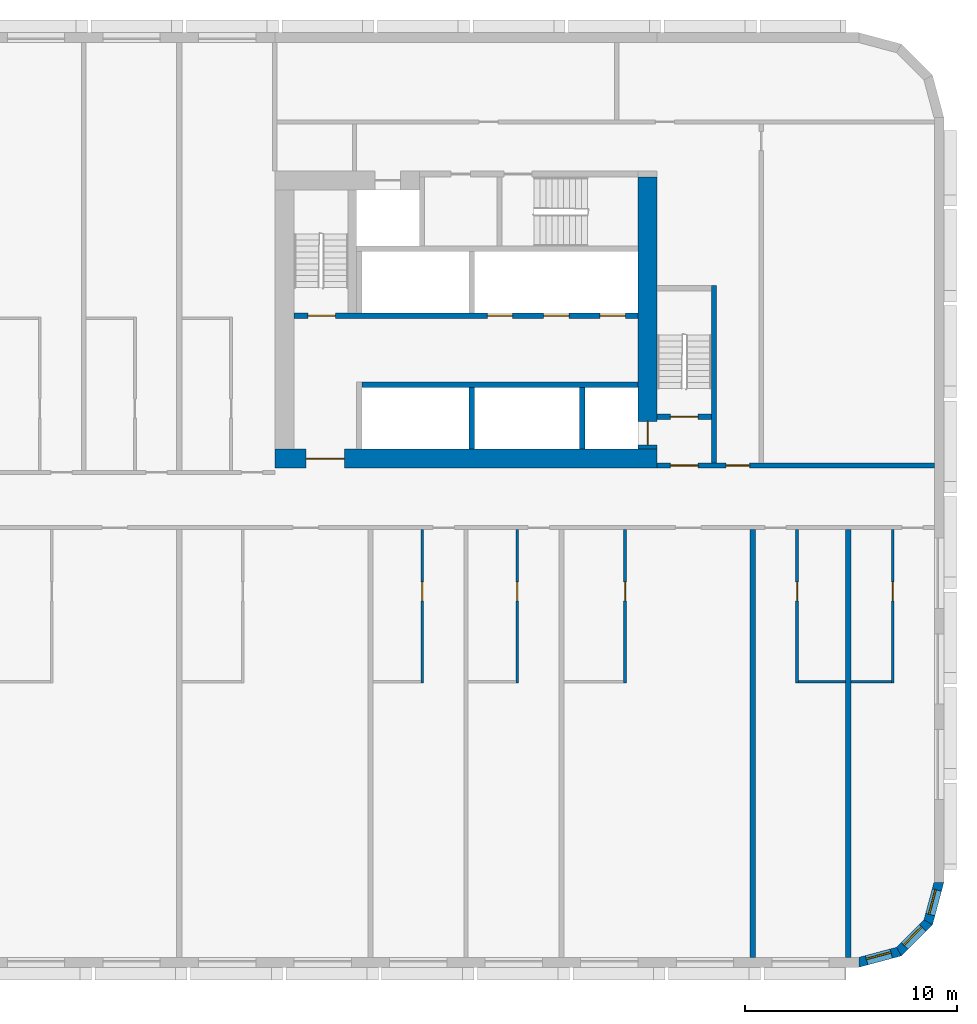
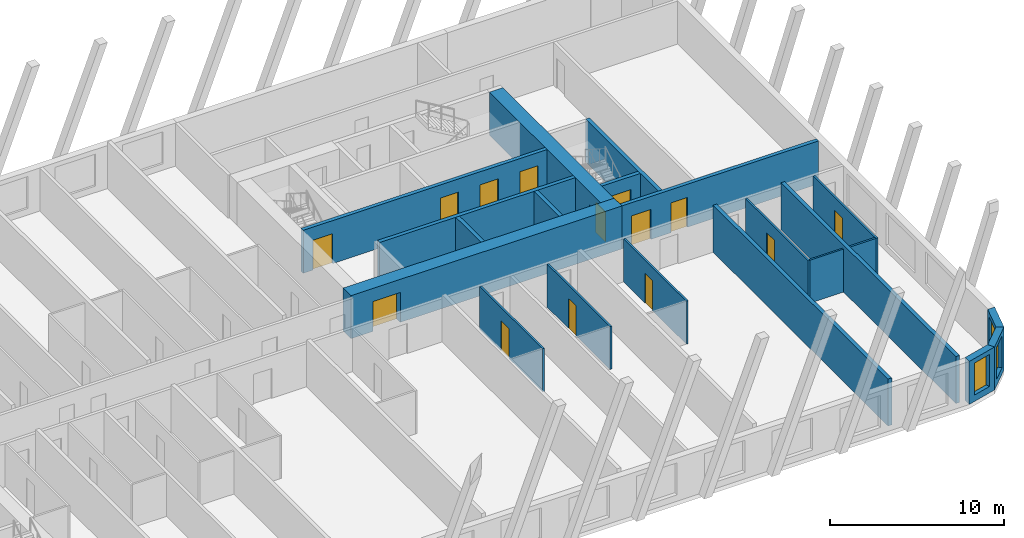
# One storey, part 7 of 13: 21 walls, 14 doors, 3 windows, 17 openings.
"""IFC4 building model written with IfcOpenShell, lengths in metres."""

from ifc_helpers import new_model, si_unit, direction, frame, frame_2d, origin, place, context, subcontext, project, spatial, polyline, rectangle, outline, extrude, material, layer, layer_set, type_object, element, fill, save


model = new_model("IFC4")

# Units and contexts
model_context = context("Model", 3, precision=1e-05, world=origin(), true_north=direction((0.0, 1.0)))
body_context = subcontext(model_context, "Body", "Model", "MODEL_VIEW")
ifc_project = project(units=[si_unit("LENGTHUNIT", "METRE"), si_unit("AREAUNIT", "SQUARE_METRE"), si_unit("VOLUMEUNIT", "CUBIC_METRE"), si_unit("PLANEANGLEUNIT", "RADIAN"), si_unit("MASSUNIT", "GRAM", prefix="KILO")], contexts=[model_context])

# Site, building, storey
site_placement = place(None, origin())
site = spatial("IfcSite", under=ifc_project, at=site_placement, CompositionType="ELEMENT")
building_placement = place(site_placement, origin())
building = spatial("IfcBuilding", under=site, at=building_placement, Name="Kajstack Hotel Tower", CompositionType="ELEMENT")
storey_placement = place(building_placement, frame((0.0, 0.0, 69.89990234375)))
storey = spatial("IfcBuildingStorey", under=building, at=storey_placement, Name="L12", CompositionType="ELEMENT", Elevation=69.89990234375)

# Wall, opening, door
ifc_material_1 = material(Name="Concrete C60/75", Category="concrete")
ifc_layer_1 = layer(ifc_material_1, 0.89990234375)
ifc_layer_set_1 = layer_set([ifc_layer_1], Name="Core wall 900")
wall_type_1 = type_object("IfcWallType", Name="Core wall 900", PredefinedType="SHEAR", material=ifc_layer_set_1)
wall_1_placement = place(storey_placement, frame((13.5, 1.949951171875, 0.0), z_axis=(0.0, 0.0, 1.0), x_axis=(1.0, 0.0, 0.0)))
wall_1 = element("IfcWall", 1, at=wall_1_placement, inside=storey, type_object=wall_type_1, Name="Core wall E RN", PredefinedType="SHEAR", context=body_context, shape_type="SweptSolid", body=[
    extrude(rectangle(XDim=18.0, YDim=0.89990234375, at=frame_2d((9.0, 0.0))), origin(), (0.0, 0.0, 1.0), 3.02001953125),
])
opening_1_placement = place(wall_1_placement, frame((1.47509765625, 0.0, 0.0)))
opening_1 = element("IfcOpeningElement", 2, at=opening_1_placement, cuts=wall_1, Name="Opening 12E06", PredefinedType="OPENING", context=body_context, shape_type="SweptSolid", body=[
    extrude(rectangle(XDim=1.800048828125, YDim=2.10009765625, at=frame_2d((0.89990234375, 1.050048828125))), frame((0.0, 0.4599609375, 0.0), z_axis=(0.0, -1.0, 0.0), x_axis=(1.0, 0.0, 0.0)), (0.0, 0.0, 1.0), 0.919921875),
])
ifc_material_2 = material(Name="Glazed steel frame, fire-rated glass", Category="steel")
door_type_1 = type_object("IfcDoorType", Name="Lobby double door 1800", OperationType="DOUBLE_DOOR_DOUBLE_SWING", PredefinedType="DOOR", material=ifc_material_2)
door_1_placement = place(opening_1_placement, origin())
door_1 = element("IfcDoor", 3, at=door_1_placement, inside=storey, type_object=door_type_1, Name="Door 12E06", OperationType="DOUBLE_DOOR_DOUBLE_SWING", OverallHeight=2.10009765625, OverallWidth=1.800048828125, PredefinedType="DOOR", context=body_context, shape_type="SweptSolid", body=[
    extrude(rectangle(XDim=1.800048828125, YDim=2.10009765625, at=frame_2d((0.89990234375, 1.050048828125))), frame((0.0, 0.02490234375, 0.0), z_axis=(0.0, -1.0, 0.0), x_axis=(1.0, 0.0, 0.0)), (0.0, 0.0, 1.0), 0.050048828125),
])
fill(opening_1, door_1)

wall_2_placement = place(storey_placement, frame((31.050048828125, 2.39990234375, 0.0), z_axis=(0.0, 0.0, 1.0), x_axis=(0.0, 1.0, 0.0)))
wall_2 = element("IfcWall", 4, at=wall_2_placement, inside=storey, type_object=wall_type_1, Name="Core wall E RW", PredefinedType="SHEAR", context=body_context, shape_type="SweptSolid", body=[
    extrude(rectangle(XDim=12.800048828125, YDim=0.89990234375, at=frame_2d((6.39990234375, 0.0))), origin(), (0.0, 0.0, 1.0), 3.02001953125),
])
opening_2_placement = place(wall_2_placement, frame((0.199951171875, 0.0, 0.0)))
opening_2 = element("IfcOpeningElement", 5, at=opening_2_placement, cuts=wall_2, Name="Opening LD-FF2", PredefinedType="OPENING", context=body_context, shape_type="SweptSolid", body=[
    extrude(rectangle(XDim=1.10009765625, YDim=2.10009765625, at=frame_2d((0.550048828125, 1.050048828125))), frame((0.0, 0.4599609375, 0.0), z_axis=(0.0, -1.0, 0.0), x_axis=(1.0, 0.0, 0.0)), (0.0, 0.0, 1.0), 0.919921875),
])
ifc_material_3 = material(Name="Stainless steel", Category="steel")
door_type_2 = type_object("IfcDoorType", Name="Fire-fighting lift landing door 1100", OperationType="SLIDING_TO_LEFT", PredefinedType="DOOR", material=ifc_material_3)
door_2_placement = place(opening_2_placement, origin())
door_2 = element("IfcDoor", 6, at=door_2_placement, inside=storey, type_object=door_type_2, Name="Landing door FF2", OperationType="SLIDING_TO_LEFT", OverallHeight=2.10009765625, OverallWidth=1.10009765625, PredefinedType="DOOR", context=body_context, shape_type="SweptSolid", body=[
    extrude(rectangle(XDim=1.10009765625, YDim=2.10009765625, at=frame_2d((0.550048828125, 1.050048828125))), frame((0.0, 0.02490234375, 0.0), z_axis=(0.0, -1.0, 0.0), x_axis=(1.0, 0.0, 0.0)), (0.0, 0.0, 1.0), 0.050048828125),
])
fill(opening_2, door_2)

# Wall, opening, window
ifc_material_4 = material(Name="Terracotta-faced brick masonry", Category="masonry")
ifc_layer_2 = layer(ifc_material_4, 0.449951171875)
ifc_layer_set_2 = layer_set([ifc_layer_2], Name="EW-TERRA")
wall_type_2 = type_object("IfcWallType", Name="EW-TERRA", PredefinedType="SOLIDWALL", material=ifc_layer_set_2)
wall_3_placement = place(storey_placement, frame((40.941650390625, -21.78271484375, 0.0), z_axis=(0.0, 0.0, 1.0), x_axis=(0.965926999034, 0.25881466832, 0.0)))
wall_3 = element("IfcWall", 7, at=wall_3_placement, inside=storey, type_object=wall_type_2, Name="E-wall-L12-04-00", PredefinedType="SOLIDWALL", context=body_context, shape_type="SweptSolid", body=[
    extrude(outline(polyline([(0.000244140625, -0.22509765625), (2.070556640625, -0.224853515625), (1.9501953125, 0.22509765625), (0.12060546875, 0.22509765625), (0.000244140625, -0.22509765625)])), origin(), (0.0, 0.0, 1.0), 3.02001953125),
])
opening_3_placement = place(wall_3_placement, frame((0.435302734375, 0.0, 0.449951171875)))
opening_3 = element("IfcOpeningElement", 8, at=opening_3_placement, cuts=wall_3, Name="Opening W3", PredefinedType="OPENING", context=body_context, shape_type="SweptSolid", body=[
    extrude(rectangle(XDim=1.199951171875, YDim=2.25, at=frame_2d((0.60009765625, 1.125))), frame((0.0, 0.23486328125, 0.0), z_axis=(0.0, -1.0, 0.0), x_axis=(1.0, 0.0, 0.0)), (0.0, 0.0, 1.0), 0.469970703125),
])
ifc_material_5 = material(Name="Timber-aluminium window, triple glazed", Category="wood")
window_type = type_object("IfcWindowType", Name="WG3", PartitioningType="SINGLE_PANEL", PredefinedType="WINDOW", material=ifc_material_5)
window_1_placement = place(opening_3_placement, origin())
window_1 = element("IfcWindow", 9, at=window_1_placement, inside=storey, type_object=window_type, Name="Window W3 L12-04", OverallHeight=2.25, OverallWidth=1.199951171875, PartitioningType="SINGLE_PANEL", PredefinedType="WINDOW", context=body_context, shape_type="SweptSolid", body=[
    extrude(rectangle(XDim=1.199951171875, YDim=2.25, at=frame_2d((0.60009765625, 1.125))), frame((0.0, 0.090087890625, 0.0), z_axis=(0.0, -1.0, 0.0), x_axis=(1.0, 0.0, 0.0)), (0.0, 0.0, 1.0), 0.06005859375),
])
fill(opening_3, window_1)

wall_4_placement = place(storey_placement, frame((42.8408203125, -21.304931640625, 0.0), z_axis=(0.0, 0.0, 1.0), x_axis=(0.707106781187, 0.707106781187, 0.0)))
wall_4 = element("IfcWall", 10, at=wall_4_placement, inside=storey, type_object=wall_type_2, Name="E-wall-L12-05-00", PredefinedType="SOLIDWALL", context=body_context, shape_type="SweptSolid", body=[
    extrude(outline(polyline([(0.0, -0.22509765625), (2.070556640625, -0.22509765625), (1.949951171875, 0.224853515625), (0.12060546875, 0.224853515625), (0.0, -0.22509765625)])), origin(), (0.0, 0.0, 1.0), 3.02001953125),
])
opening_4_placement = place(wall_4_placement, frame((0.435302734375, 0.0, 0.449951171875)))
opening_4 = element("IfcOpeningElement", 11, at=opening_4_placement, cuts=wall_4, Name="Opening W3", PredefinedType="OPENING", context=body_context, shape_type="SweptSolid", body=[
    extrude(rectangle(XDim=1.199951171875, YDim=2.25, at=frame_2d((0.60009765625, 1.125))), frame((0.0, 0.23486328125, 0.0), z_axis=(0.0, -1.0, 0.0), x_axis=(1.0, 0.0, 0.0)), (0.0, 0.0, 1.0), 0.469970703125),
])
window_2_placement = place(opening_4_placement, origin())
window_2 = element("IfcWindow", 12, at=window_2_placement, inside=storey, type_object=window_type, Name="Window W3 L12-05", OverallHeight=2.25, OverallWidth=1.199951171875, PartitioningType="SINGLE_PANEL", PredefinedType="WINDOW", context=body_context, shape_type="SweptSolid", body=[
    extrude(rectangle(XDim=1.199951171875, YDim=2.25, at=frame_2d((0.60009765625, 1.125))), frame((0.0, 0.090087890625, 0.0), z_axis=(0.0, -1.0, 0.0), x_axis=(1.0, 0.0, 0.0)), (0.0, 0.0, 1.0), 0.06005859375),
])
fill(opening_4, window_2)

wall_5_placement = place(storey_placement, frame((44.246826171875, -19.941650390625, 0.0), z_axis=(0.0, 0.0, 1.0), x_axis=(0.25881466832, 0.965926999034, 0.0)))
wall_5 = element("IfcWall", 13, at=wall_5_placement, inside=storey, type_object=wall_type_2, Name="E-wall-L12-06-00", PredefinedType="SOLIDWALL", context=body_context, shape_type="SweptSolid", body=[
    extrude(outline(polyline([(-0.000244140625, -0.224853515625), (2.0703125, -0.22509765625), (1.949951171875, 0.22509765625), (0.120361328125, 0.22509765625), (-0.000244140625, -0.224853515625)])), origin(), (0.0, 0.0, 1.0), 3.02001953125),
])
opening_5_placement = place(wall_5_placement, frame((0.435302734375, 0.0, 0.449951171875)))
opening_5 = element("IfcOpeningElement", 14, at=opening_5_placement, cuts=wall_5, Name="Opening W3", PredefinedType="OPENING", context=body_context, shape_type="SweptSolid", body=[
    extrude(rectangle(XDim=1.199951171875, YDim=2.25, at=frame_2d((0.60009765625, 1.125))), frame((0.0, 0.23486328125, 0.0), z_axis=(0.0, -1.0, 0.0), x_axis=(1.0, 0.0, 0.0)), (0.0, 0.0, 1.0), 0.469970703125),
])
window_3_placement = place(opening_5_placement, origin())
window_3 = element("IfcWindow", 15, at=window_3_placement, inside=storey, type_object=window_type, Name="Window W3 L12-06", OverallHeight=2.25, OverallWidth=1.199951171875, PartitioningType="SINGLE_PANEL", PredefinedType="WINDOW", context=body_context, shape_type="SweptSolid", body=[
    extrude(rectangle(XDim=1.199951171875, YDim=2.25, at=frame_2d((0.60009765625, 1.125))), frame((0.0, 0.090087890625, 0.0), z_axis=(0.0, -1.0, 0.0), x_axis=(1.0, 0.0, 0.0)), (0.0, 0.0, 1.0), 0.06005859375),
])
fill(opening_5, window_3)

# Wall, opening, door
ifc_material_6 = material(Name="Gypsum board and tiled backer on steel studs", Category="steel")
ifc_layer_3 = layer(ifc_material_6, 0.125)
ifc_layer_set_3 = layer_set([ifc_layer_3], Name="En-suite wall 125")
wall_type_3 = type_object("IfcWallType", Name="En-suite wall 125", PredefinedType="PARTITIONING", material=ifc_layer_set_3)
wall_6_placement = place(storey_placement, frame((20.43798828125, -8.625, 0.0), z_axis=(0.0, 0.0, 1.0), x_axis=(0.0, 1.0, 0.0)))
wall_6 = element("IfcWall", 16, at=wall_6_placement, inside=storey, type_object=wall_type_3, Name="G-wall-L12-042", PredefinedType="PARTITIONING", context=body_context, shape_type="SweptSolid", body=[
    extrude(rectangle(XDim=7.22509765625, YDim=0.125, at=frame_2d((3.612548828125, 0.0))), origin(), (0.0, 0.0, 1.0), 3.02001953125),
])
opening_6_placement = place(wall_6_placement, frame((3.875, 0.0, 0.0)))
opening_6 = element("IfcOpeningElement", 17, at=opening_6_placement, cuts=wall_6, Name="Opening 12034", PredefinedType="OPENING", context=body_context, shape_type="SweptSolid", body=[
    extrude(rectangle(XDim=0.89990234375, YDim=2.10009765625, at=frame_2d((0.449951171875, 1.050048828125))), frame((0.0, 0.072509765625, 0.0), z_axis=(0.0, -1.0, 0.0), x_axis=(1.0, 0.0, 0.0)), (0.0, 0.0, 1.0), 0.14501953125),
])
ifc_material_7 = material(Name="Painted timber door leaf", Category="wood")
door_type_3 = type_object("IfcDoorType", Name="Room door 900", OperationType="SINGLE_SWING_LEFT", PredefinedType="DOOR", material=ifc_material_7)
door_3_placement = place(opening_6_placement, origin())
door_3 = element("IfcDoor", 18, at=door_3_placement, inside=storey, type_object=door_type_3, Name="G-door-L12-34", OperationType="SINGLE_SWING_LEFT", OverallHeight=2.10009765625, OverallWidth=0.89990234375, PredefinedType="DOOR", context=body_context, shape_type="SweptSolid", body=[
    extrude(rectangle(XDim=0.89990234375, YDim=2.10009765625, at=frame_2d((0.449951171875, 1.050048828125))), frame((0.0, 0.02490234375, 0.0), z_axis=(0.0, -1.0, 0.0), x_axis=(1.0, 0.0, 0.0)), (0.0, 0.0, 1.0), 0.050048828125),
])
fill(opening_6, door_3)

wall_7_placement = place(storey_placement, frame((24.9130859375, -8.625, 0.0), z_axis=(0.0, 0.0, 1.0), x_axis=(0.0, 1.0, 0.0)))
wall_7 = element("IfcWall", 19, at=wall_7_placement, inside=storey, type_object=wall_type_3, Name="G-wall-L12-044", PredefinedType="PARTITIONING", context=body_context, shape_type="SweptSolid", body=[
    extrude(rectangle(XDim=7.22509765625, YDim=0.125, at=frame_2d((3.612548828125, 0.0))), origin(), (0.0, 0.0, 1.0), 3.02001953125),
])
opening_7_placement = place(wall_7_placement, frame((3.875, 0.0, 0.0)))
opening_7 = element("IfcOpeningElement", 20, at=opening_7_placement, cuts=wall_7, Name="Opening 12036", PredefinedType="OPENING", context=body_context, shape_type="SweptSolid", body=[
    extrude(rectangle(XDim=0.89990234375, YDim=2.10009765625, at=frame_2d((0.449951171875, 1.050048828125))), frame((0.0, 0.072509765625, 0.0), z_axis=(0.0, -1.0, 0.0), x_axis=(1.0, 0.0, 0.0)), (0.0, 0.0, 1.0), 0.14501953125),
])
door_4_placement = place(opening_7_placement, origin())
door_4 = element("IfcDoor", 21, at=door_4_placement, inside=storey, type_object=door_type_3, Name="G-door-L12-36", OperationType="SINGLE_SWING_RIGHT", OverallHeight=2.10009765625, OverallWidth=0.89990234375, PredefinedType="DOOR", context=body_context, shape_type="SweptSolid", body=[
    extrude(rectangle(XDim=0.89990234375, YDim=2.10009765625, at=frame_2d((0.449951171875, 1.050048828125))), frame((0.0, 0.02490234375, 0.0), z_axis=(0.0, -1.0, 0.0), x_axis=(1.0, 0.0, 0.0)), (0.0, 0.0, 1.0), 0.050048828125),
])
fill(opening_7, door_4)

wall_8_placement = place(storey_placement, frame((29.988037109375, -8.625, 0.0), z_axis=(0.0, 0.0, 1.0), x_axis=(0.0, 1.0, 0.0)))
wall_8 = element("IfcWall", 22, at=wall_8_placement, inside=storey, type_object=wall_type_3, Name="G-wall-L12-046", PredefinedType="PARTITIONING", context=body_context, shape_type="SweptSolid", body=[
    extrude(rectangle(XDim=7.22509765625, YDim=0.125, at=frame_2d((3.612548828125, 0.0))), origin(), (0.0, 0.0, 1.0), 3.02001953125),
])
opening_8_placement = place(wall_8_placement, frame((3.875, 0.0, 0.0)))
opening_8 = element("IfcOpeningElement", 23, at=opening_8_placement, cuts=wall_8, Name="Opening 12038", PredefinedType="OPENING", context=body_context, shape_type="SweptSolid", body=[
    extrude(rectangle(XDim=0.89990234375, YDim=2.10009765625, at=frame_2d((0.449951171875, 1.050048828125))), frame((0.0, 0.072509765625, 0.0), z_axis=(0.0, -1.0, 0.0), x_axis=(1.0, 0.0, 0.0)), (0.0, 0.0, 1.0), 0.14501953125),
])
door_5_placement = place(opening_8_placement, origin())
door_5 = element("IfcDoor", 24, at=door_5_placement, inside=storey, type_object=door_type_3, Name="G-door-L12-38", OperationType="SINGLE_SWING_LEFT", OverallHeight=2.10009765625, OverallWidth=0.89990234375, PredefinedType="DOOR", context=body_context, shape_type="SweptSolid", body=[
    extrude(rectangle(XDim=0.89990234375, YDim=2.10009765625, at=frame_2d((0.449951171875, 1.050048828125))), frame((0.0, 0.02490234375, 0.0), z_axis=(0.0, -1.0, 0.0), x_axis=(1.0, 0.0, 0.0)), (0.0, 0.0, 1.0), 0.050048828125),
])
fill(opening_8, door_5)

wall_9_placement = place(storey_placement, frame((38.0869140625, -8.625, 0.0), z_axis=(0.0, 0.0, 1.0), x_axis=(0.0, 1.0, 0.0)))
wall_9 = element("IfcWall", 25, at=wall_9_placement, inside=storey, type_object=wall_type_3, Name="G-wall-L12-048", PredefinedType="PARTITIONING", context=body_context, shape_type="SweptSolid", body=[
    extrude(rectangle(XDim=7.22509765625, YDim=0.125, at=frame_2d((3.612548828125, 0.0))), origin(), (0.0, 0.0, 1.0), 3.02001953125),
])
opening_9_placement = place(wall_9_placement, frame((3.875, 0.0, 0.0)))
opening_9 = element("IfcOpeningElement", 26, at=opening_9_placement, cuts=wall_9, Name="Opening 12040", PredefinedType="OPENING", context=body_context, shape_type="SweptSolid", body=[
    extrude(rectangle(XDim=0.89990234375, YDim=2.10009765625, at=frame_2d((0.449951171875, 1.050048828125))), frame((0.0, 0.072509765625, 0.0), z_axis=(0.0, -1.0, 0.0), x_axis=(1.0, 0.0, 0.0)), (0.0, 0.0, 1.0), 0.14501953125),
])
door_6_placement = place(opening_9_placement, origin())
door_6 = element("IfcDoor", 27, at=door_6_placement, inside=storey, type_object=door_type_3, Name="G-door-L12-40", OperationType="SINGLE_SWING_RIGHT", OverallHeight=2.10009765625, OverallWidth=0.89990234375, PredefinedType="DOOR", context=body_context, shape_type="SweptSolid", body=[
    extrude(rectangle(XDim=0.89990234375, YDim=2.10009765625, at=frame_2d((0.449951171875, 1.050048828125))), frame((0.0, 0.02490234375, 0.0), z_axis=(0.0, -1.0, 0.0), x_axis=(1.0, 0.0, 0.0)), (0.0, 0.0, 1.0), 0.050048828125),
])
fill(opening_9, door_6)

# Wall
wall_10_placement = place(storey_placement, frame((38.14990234375, -8.56201171875, 0.0), z_axis=(0.0, 0.0, 1.0), x_axis=(1.0, 0.0, 0.0)))
element("IfcWall", 28, at=wall_10_placement, inside=storey, type_object=wall_type_3, Name="G-wall-L12-049", PredefinedType="PARTITIONING", context=body_context, shape_type="SweptSolid", body=[
    extrude(rectangle(XDim=2.22509765625, YDim=0.125, at=frame_2d((1.112548828125, 0.0))), origin(), (0.0, 0.0, 1.0), 3.02001953125),
])

# Wall, opening, door
wall_11_placement = place(storey_placement, frame((42.5869140625, -8.625, 0.0), z_axis=(0.0, 0.0, 1.0), x_axis=(0.0, 1.0, 0.0)))
wall_11 = element("IfcWall", 29, at=wall_11_placement, inside=storey, type_object=wall_type_3, Name="G-wall-L12-050", PredefinedType="PARTITIONING", context=body_context, shape_type="SweptSolid", body=[
    extrude(rectangle(XDim=7.22509765625, YDim=0.125, at=frame_2d((3.612548828125, 0.0))), origin(), (0.0, 0.0, 1.0), 3.02001953125),
])
opening_10_placement = place(wall_11_placement, frame((3.875, 0.0, 0.0)))
opening_10 = element("IfcOpeningElement", 30, at=opening_10_placement, cuts=wall_11, Name="Opening 12042", PredefinedType="OPENING", context=body_context, shape_type="SweptSolid", body=[
    extrude(rectangle(XDim=0.89990234375, YDim=2.10009765625, at=frame_2d((0.449951171875, 1.050048828125))), frame((0.0, 0.072509765625, 0.0), z_axis=(0.0, -1.0, 0.0), x_axis=(1.0, 0.0, 0.0)), (0.0, 0.0, 1.0), 0.14501953125),
])
door_7_placement = place(opening_10_placement, origin())
door_7 = element("IfcDoor", 31, at=door_7_placement, inside=storey, type_object=door_type_3, Name="G-door-L12-42", OperationType="SINGLE_SWING_RIGHT", OverallHeight=2.10009765625, OverallWidth=0.89990234375, PredefinedType="DOOR", context=body_context, shape_type="SweptSolid", body=[
    extrude(rectangle(XDim=0.89990234375, YDim=2.10009765625, at=frame_2d((0.449951171875, 1.050048828125))), frame((0.0, 0.02490234375, 0.0), z_axis=(0.0, -1.0, 0.0), x_axis=(1.0, 0.0, 0.0)), (0.0, 0.0, 1.0), 0.050048828125),
])
fill(opening_10, door_7)

# Walls
wall_12_placement = place(storey_placement, frame((40.625, -8.56201171875, 0.0), z_axis=(0.0, 0.0, 1.0), x_axis=(1.0, 0.0, 0.0)))
element("IfcWall", 32, at=wall_12_placement, inside=storey, type_object=wall_type_3, Name="G-wall-L12-051", PredefinedType="PARTITIONING", context=body_context, shape_type="SweptSolid", body=[
    extrude(rectangle(XDim=1.89990234375, YDim=0.125, at=frame_2d((0.949951171875, 0.0))), origin(), (0.0, 0.0, 1.0), 3.02001953125),
])
ifc_material_8 = material(Name="Concrete C50/60", Category="concrete")
ifc_layer_4 = layer(ifc_material_8, 0.300048828125)
ifc_layer_set_4 = layer_set([ifc_layer_4], Name="Hoistway divider wall 300")
wall_type_4 = type_object("IfcWallType", Name="Hoistway divider wall 300", PredefinedType="SHEAR", material=ifc_layer_set_4)
wall_13_placement = place(storey_placement, frame((22.77490234375, 2.39990234375, 0.0), z_axis=(0.0, 0.0, 1.0), x_axis=(0.0, 1.0, 0.0)))
element("IfcWall", 33, at=wall_13_placement, inside=storey, type_object=wall_type_4, Name="Core wall E AP2", PredefinedType="SHEAR", context=body_context, shape_type="SweptSolid", body=[
    extrude(rectangle(XDim=2.900146484375, YDim=0.25, at=frame_2d((1.4501953125, 0.0))), origin(), (0.0, 0.0, 1.0), 3.02001953125),
])
ifc_layer_5 = layer(ifc_material_1, 0.25)
ifc_layer_set_5 = layer_set([ifc_layer_5], Name="RC cross wall 250 C60/75")
wall_type_5 = type_object("IfcWallType", Name="RC cross wall 250 C60/75", PredefinedType="SHEAR", material=ifc_layer_set_5)
for number, where, z_axis, x_axis, name in (
    (34, (36.0, -21.5400390625, 0.0), (0.0, 0.0, 1.0), (0.0, 1.0, 0.0), "S-wall-L12-13"),
    (35, (40.5, -21.5400390625, 0.0), (0.0, 0.0, 1.0), (0.0, 1.0, 0.0), "S-wall-L12-14"),
):
    element("IfcWall", number, at=place(storey_placement, frame(where, z_axis=z_axis, x_axis=x_axis)), inside=storey, type_object=wall_type_5, Name=name, PredefinedType="SHEAR", context=body_context, shape_type="SweptSolid", body=[
        extrude(rectangle(XDim=20.14013671875, YDim=0.25, at=frame_2d((10.070068359375, 0.0))), origin(), (0.0, 0.0, 1.0), 3.300048828125),
    ])

# Wall, openings, doors
ifc_material_9 = material(Name="Gypsum board on steel studs, mineral wool", Category="steel")
ifc_layer_6 = layer(ifc_material_9, 0.199951171875)
ifc_layer_set_6 = layer_set([ifc_layer_6], Name="Service partition 200")
wall_type_6 = type_object("IfcWallType", Name="Service partition 200", PredefinedType="PARTITIONING", material=ifc_layer_set_6)
wall_14_placement = place(storey_placement, frame((31.5, 1.625, 0.0), z_axis=(0.0, 0.0, 1.0), x_axis=(1.0, 0.0, 0.0)))
wall_14 = element("IfcWall", 36, at=wall_14_placement, inside=storey, type_object=wall_type_6, Name="Partition E SN", PredefinedType="PARTITIONING", context=body_context, shape_type="SweptSolid", body=[
    extrude(rectangle(XDim=13.050048828125, YDim=0.25, at=frame_2d((6.52490234375, 0.0))), origin(), (0.0, 0.0, 1.0), 3.02001953125),
])
opening_11_placement = place(wall_14_placement, frame((0.625, 0.0, 0.0)))
opening_11 = element("IfcOpeningElement", 37, at=opening_11_placement, cuts=wall_14, Name="Opening 12E07", PredefinedType="OPENING", context=body_context, shape_type="SweptSolid", body=[
    extrude(rectangle(XDim=1.300048828125, YDim=2.10009765625, at=frame_2d((0.64990234375, 1.050048828125))), frame((0.0, 0.135009765625, 0.0), z_axis=(0.0, -1.0, 0.0), x_axis=(1.0, 0.0, 0.0)), (0.0, 0.0, 1.0), 0.27001953125),
])
opening_12_placement = place(wall_14_placement, frame((3.25, 0.0, 0.0)))
opening_12 = element("IfcOpeningElement", 38, at=opening_12_placement, cuts=wall_14, Name="Opening 12E09", PredefinedType="OPENING", context=body_context, shape_type="SweptSolid", body=[
    extrude(rectangle(XDim=1.10009765625, YDim=2.10009765625, at=frame_2d((0.550048828125, 1.050048828125))), frame((0.0, 0.135009765625, 0.0), z_axis=(0.0, -1.0, 0.0), x_axis=(1.0, 0.0, 0.0)), (0.0, 0.0, 1.0), 0.27001953125),
])
ifc_material_10 = material(Name="Steel leaf, fire-rated", Category="steel")
door_type_4 = type_object("IfcDoorType", Name="Fire lobby door 1300", OperationType="SINGLE_SWING_LEFT", PredefinedType="DOOR", material=ifc_material_10)
door_8_placement = place(opening_11_placement, origin())
door_8 = element("IfcDoor", 39, at=door_8_placement, inside=storey, type_object=door_type_4, Name="Door 12E07", OperationType="SINGLE_SWING_LEFT", OverallHeight=2.10009765625, OverallWidth=1.300048828125, PredefinedType="DOOR", context=body_context, shape_type="SweptSolid", body=[
    extrude(rectangle(XDim=1.300048828125, YDim=2.10009765625, at=frame_2d((0.64990234375, 1.050048828125))), frame((0.0, 0.02490234375, 0.0), z_axis=(0.0, -1.0, 0.0), x_axis=(1.0, 0.0, 0.0)), (0.0, 0.0, 1.0), 0.050048828125),
])
fill(opening_11, door_8)
ifc_material_11 = material(Name="Timber leaf, fire-rated", Category="wood")
door_type_5 = type_object("IfcDoorType", Name="Service corridor door 1100", OperationType="SINGLE_SWING_LEFT", PredefinedType="DOOR", material=ifc_material_11)
door_9_placement = place(opening_12_placement, origin())
door_9 = element("IfcDoor", 40, at=door_9_placement, inside=storey, type_object=door_type_5, Name="Door 12E09", OperationType="SINGLE_SWING_LEFT", OverallHeight=2.10009765625, OverallWidth=1.10009765625, PredefinedType="DOOR", context=body_context, shape_type="SweptSolid", body=[
    extrude(rectangle(XDim=1.10009765625, YDim=2.10009765625, at=frame_2d((0.550048828125, 1.050048828125))), frame((0.0, 0.02490234375, 0.0), z_axis=(0.0, -1.0, 0.0), x_axis=(1.0, 0.0, 0.0)), (0.0, 0.0, 1.0), 0.050048828125),
])
fill(opening_12, door_9)

# Walls
ifc_layer_7 = layer(ifc_material_8, 0.25)
ifc_layer_set_7 = layer_set([ifc_layer_7], Name="Shaft wall 250")
wall_type_7 = type_object("IfcWallType", Name="Shaft wall 250", PredefinedType="SHEAR", material=ifc_layer_set_7)
wall_15_placement = place(storey_placement, frame((17.60009765625, 5.425048828125, 0.0), z_axis=(0.0, 0.0, 1.0), x_axis=(1.0, 0.0, 0.0)))
element("IfcWall", 41, at=wall_15_placement, inside=storey, type_object=wall_type_7, Name="Core wall E FA", PredefinedType="SHEAR", context=body_context, shape_type="SweptSolid", body=[
    extrude(rectangle(XDim=13.0, YDim=0.25, at=frame_2d((6.5, 0.0))), origin(), (0.0, 0.0, 1.0), 3.02001953125),
])
wall_16_placement = place(storey_placement, frame((27.97509765625, 2.39990234375, 0.0), z_axis=(0.0, 0.0, 1.0), x_axis=(0.0, 1.0, 0.0)))
element("IfcWall", 42, at=wall_16_placement, inside=storey, type_object=wall_type_7, Name="Core wall E AP0", PredefinedType="SHEAR", context=body_context, shape_type="SweptSolid", body=[
    extrude(rectangle(XDim=2.900146484375, YDim=0.25, at=frame_2d((1.4501953125, 0.0))), origin(), (0.0, 0.0, 1.0), 3.02001953125),
])

# Wall, openings, doors
wall_17_placement = place(storey_placement, frame((14.39990234375, 8.675048828125, 0.0), z_axis=(0.0, 0.0, 1.0), x_axis=(1.0, 0.0, 0.0)))
wall_17 = element("IfcWall", 43, at=wall_17_placement, inside=storey, type_object=wall_type_7, Name="Core wall E FB", PredefinedType="SHEAR", context=body_context, shape_type="SweptSolid", body=[
    extrude(rectangle(XDim=16.2001953125, YDim=0.25, at=frame_2d((8.10009765625, 0.0))), origin(), (0.0, 0.0, 1.0), 3.02001953125),
])
opening_13_placement = place(wall_17_placement, frame((14.39990234375, 0.0, 0.0)))
opening_13 = element("IfcOpeningElement", 44, at=opening_13_placement, cuts=wall_17, Name="Opening LD-LR4", PredefinedType="OPENING", context=body_context, shape_type="SweptSolid", body=[
    extrude(rectangle(XDim=1.199951171875, YDim=2.10009765625, at=frame_2d((0.60009765625, 1.050048828125))), frame((0.0, 0.135009765625, 0.0), z_axis=(0.0, -1.0, 0.0), x_axis=(1.0, 0.0, 0.0)), (0.0, 0.0, 1.0), 0.27001953125),
])
opening_14_placement = place(wall_17_placement, frame((11.75, 0.0, 0.0)))
opening_14 = element("IfcOpeningElement", 45, at=opening_14_placement, cuts=wall_17, Name="Opening LD-LR5", PredefinedType="OPENING", context=body_context, shape_type="SweptSolid", body=[
    extrude(rectangle(XDim=1.199951171875, YDim=2.10009765625, at=frame_2d((0.60009765625, 1.050048828125))), frame((0.0, 0.135009765625, 0.0), z_axis=(0.0, -1.0, 0.0), x_axis=(1.0, 0.0, 0.0)), (0.0, 0.0, 1.0), 0.27001953125),
])
opening_15_placement = place(wall_17_placement, frame((9.10009765625, 0.0, 0.0)))
opening_15 = element("IfcOpeningElement", 46, at=opening_15_placement, cuts=wall_17, Name="Opening LD-LR6", PredefinedType="OPENING", context=body_context, shape_type="SweptSolid", body=[
    extrude(rectangle(XDim=1.199951171875, YDim=2.10009765625, at=frame_2d((0.60009765625, 1.050048828125))), frame((0.0, 0.135009765625, 0.0), z_axis=(0.0, -1.0, 0.0), x_axis=(1.0, 0.0, 0.0)), (0.0, 0.0, 1.0), 0.27001953125),
])
opening_16_placement = place(wall_17_placement, frame((0.64990234375, 0.0, 0.0)))
opening_16 = element("IfcOpeningElement", 47, at=opening_16_placement, cuts=wall_17, Name="Opening 12E10", PredefinedType="OPENING", context=body_context, shape_type="SweptSolid", body=[
    extrude(rectangle(XDim=1.300048828125, YDim=2.10009765625, at=frame_2d((0.64990234375, 1.050048828125))), frame((0.0, 0.135009765625, 0.0), z_axis=(0.0, -1.0, 0.0), x_axis=(1.0, 0.0, 0.0)), (0.0, 0.0, 1.0), 0.27001953125),
])
door_type_6 = type_object("IfcDoorType", Name="Lift landing door 1200", OperationType="SLIDING_TO_LEFT", PredefinedType="DOOR", material=ifc_material_3)
door_10_placement = place(opening_13_placement, origin())
door_10 = element("IfcDoor", 48, at=door_10_placement, inside=storey, type_object=door_type_6, Name="Landing door LR4", OperationType="SLIDING_TO_LEFT", OverallHeight=2.10009765625, OverallWidth=1.199951171875, PredefinedType="DOOR", context=body_context, shape_type="SweptSolid", body=[
    extrude(rectangle(XDim=1.199951171875, YDim=2.10009765625, at=frame_2d((0.60009765625, 1.050048828125))), frame((0.0, 0.02490234375, 0.0), z_axis=(0.0, -1.0, 0.0), x_axis=(1.0, 0.0, 0.0)), (0.0, 0.0, 1.0), 0.050048828125),
])
fill(opening_13, door_10)
door_11_placement = place(opening_14_placement, origin())
door_11 = element("IfcDoor", 49, at=door_11_placement, inside=storey, type_object=door_type_6, Name="Landing door LR5", OperationType="SLIDING_TO_RIGHT", OverallHeight=2.10009765625, OverallWidth=1.199951171875, PredefinedType="DOOR", context=body_context, shape_type="SweptSolid", body=[
    extrude(rectangle(XDim=1.199951171875, YDim=2.10009765625, at=frame_2d((0.60009765625, 1.050048828125))), frame((0.0, 0.02490234375, 0.0), z_axis=(0.0, -1.0, 0.0), x_axis=(1.0, 0.0, 0.0)), (0.0, 0.0, 1.0), 0.050048828125),
])
fill(opening_14, door_11)
door_12_placement = place(opening_15_placement, origin())
door_12 = element("IfcDoor", 50, at=door_12_placement, inside=storey, type_object=door_type_6, Name="Landing door LR6", OperationType="SLIDING_TO_RIGHT", OverallHeight=2.10009765625, OverallWidth=1.199951171875, PredefinedType="DOOR", context=body_context, shape_type="SweptSolid", body=[
    extrude(rectangle(XDim=1.199951171875, YDim=2.10009765625, at=frame_2d((0.60009765625, 1.050048828125))), frame((0.0, 0.02490234375, 0.0), z_axis=(0.0, -1.0, 0.0), x_axis=(1.0, 0.0, 0.0)), (0.0, 0.0, 1.0), 0.050048828125),
])
fill(opening_15, door_12)
door_type_7 = type_object("IfcDoorType", Name="Stair door 1300", OperationType="SINGLE_SWING_LEFT", PredefinedType="DOOR", material=ifc_material_10)
door_13_placement = place(opening_16_placement, origin())
door_13 = element("IfcDoor", 51, at=door_13_placement, inside=storey, type_object=door_type_7, Name="Door 12E10", OperationType="SINGLE_SWING_LEFT", OverallHeight=2.10009765625, OverallWidth=1.300048828125, PredefinedType="DOOR", context=body_context, shape_type="SweptSolid", body=[
    extrude(rectangle(XDim=1.300048828125, YDim=2.10009765625, at=frame_2d((0.64990234375, 1.050048828125))), frame((0.0, 0.02490234375, 0.0), z_axis=(0.0, -1.0, 0.0), x_axis=(1.0, 0.0, 0.0)), (0.0, 0.0, 1.0), 0.050048828125),
])
fill(opening_16, door_13)

# Wall, opening, door
ifc_material_12 = material(Name="Concrete C40/50", Category="concrete")
ifc_layer_8 = layer(ifc_material_12, 0.25)
ifc_layer_set_8 = layer_set([ifc_layer_8], Name="Stair enclosure wall 250")
wall_type_8 = type_object("IfcWallType", Name="Stair enclosure wall 250", PredefinedType="SHEAR", material=ifc_layer_set_8)
wall_18_placement = place(storey_placement, frame((31.5, 3.925048828125, 0.0), z_axis=(0.0, 0.0, 1.0), x_axis=(1.0, 0.0, 0.0)))
wall_18 = element("IfcWall", 52, at=wall_18_placement, inside=storey, type_object=wall_type_8, Name="Core wall E W1N", PredefinedType="SHEAR", context=body_context, shape_type="SweptSolid", body=[
    extrude(rectangle(XDim=2.550048828125, YDim=0.25, at=frame_2d((1.27490234375, 0.0))), origin(), (0.0, 0.0, 1.0), 3.02001953125),
])
opening_17_placement = place(wall_18_placement, frame((0.625, 0.0, 0.0)))
opening_17 = element("IfcOpeningElement", 53, at=opening_17_placement, cuts=wall_18, Name="Opening 12E08", PredefinedType="OPENING", context=body_context, shape_type="SweptSolid", body=[
    extrude(rectangle(XDim=1.300048828125, YDim=2.10009765625, at=frame_2d((0.64990234375, 1.050048828125))), frame((0.0, 0.135009765625, 0.0), z_axis=(0.0, -1.0, 0.0), x_axis=(1.0, 0.0, 0.0)), (0.0, 0.0, 1.0), 0.27001953125),
])
door_14_placement = place(opening_17_placement, origin())
door_14 = element("IfcDoor", 54, at=door_14_placement, inside=storey, type_object=door_type_7, Name="Door 12E08", OperationType="SINGLE_SWING_LEFT", OverallHeight=2.10009765625, OverallWidth=1.300048828125, PredefinedType="DOOR", context=body_context, shape_type="SweptSolid", body=[
    extrude(rectangle(XDim=1.300048828125, YDim=2.10009765625, at=frame_2d((0.64990234375, 1.050048828125))), frame((0.0, 0.02490234375, 0.0), z_axis=(0.0, -1.0, 0.0), x_axis=(1.0, 0.0, 0.0)), (0.0, 0.0, 1.0), 0.050048828125),
])
fill(opening_17, door_14)

# Wall
wall_19_placement = place(storey_placement, frame((34.175048828125, 1.75, 0.0), z_axis=(0.0, 0.0, 1.0), x_axis=(0.0, 1.0, 0.0)))
element("IfcWall", 55, at=wall_19_placement, inside=storey, type_object=wall_type_8, Name="Core wall E W1W", PredefinedType="SHEAR", context=body_context, shape_type="SweptSolid", body=[
    extrude(rectangle(XDim=8.35009765625, YDim=0.25, at=frame_2d((4.175048828125, 0.0))), origin(), (0.0, 0.0, 1.0), 3.02001953125),
])

save(model, "model.ifc")
